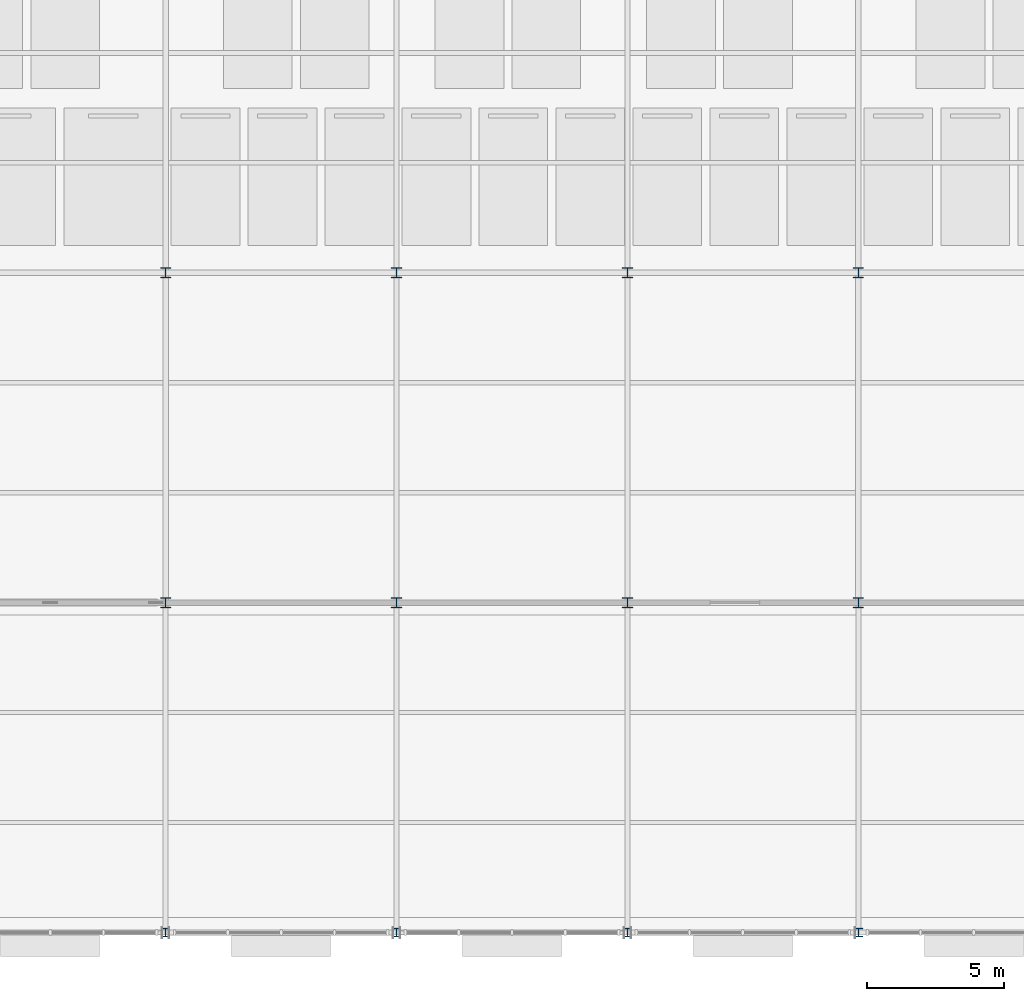
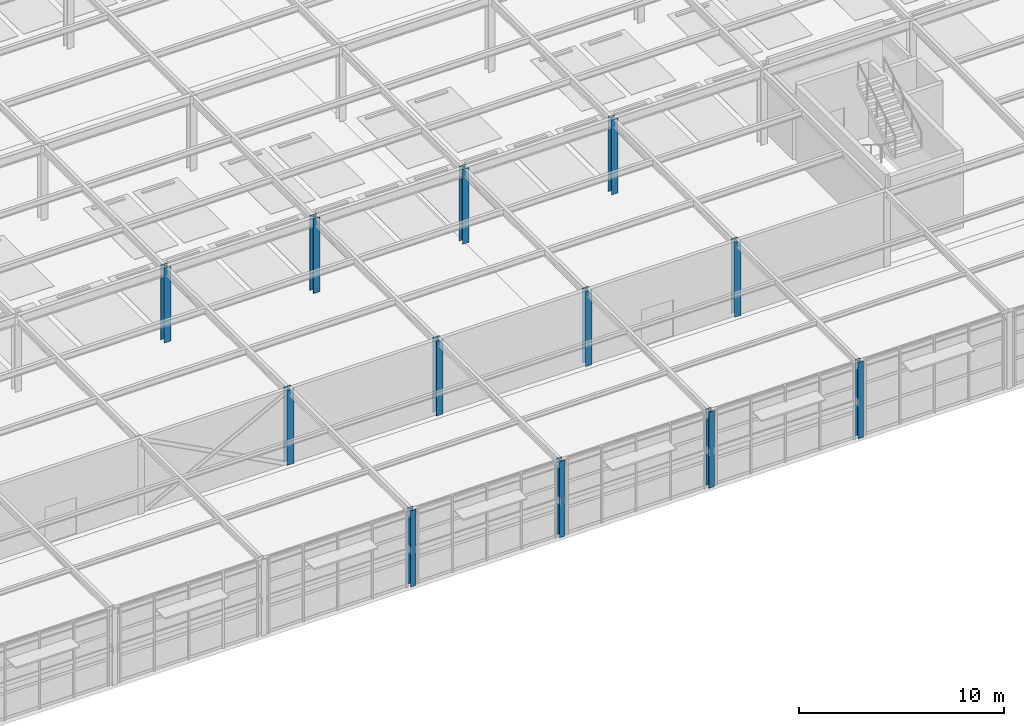
# One storey, part 2 of 82: 12 columns.
"""IFC4 building model written with IfcOpenShell, lengths in metres."""

from ifc_helpers import new_model, si_unit, direction, frame, origin, origin_2d, place, context, subcontext, project, spatial, i_section, extrude, material, material_profile, profile_set, type_object, element, save


model = new_model("IFC4")

# Units and contexts
model_context = context("Model", 3, precision=1e-05, world=origin(), true_north=direction((0.0, 1.0)))
body_context = subcontext(model_context, "Body", "Model", "MODEL_VIEW")
ifc_project = project(units=[si_unit("LENGTHUNIT", "METRE"), si_unit("AREAUNIT", "SQUARE_METRE"), si_unit("VOLUMEUNIT", "CUBIC_METRE"), si_unit("PLANEANGLEUNIT", "RADIAN"), si_unit("MASSUNIT", "GRAM", prefix="KILO")], contexts=[model_context])

# Site, building, storey
site_placement = place(None, origin())
site = spatial("IfcSite", under=ifc_project, at=site_placement, CompositionType="ELEMENT")
building_placement = place(site_placement, origin())
building = spatial("IfcBuilding", under=site, at=building_placement, Name="Sitalva Quay Ferry Terminal", CompositionType="ELEMENT")
storey_placement = place(building_placement, frame((0.0, 0.0, 5.39990234375)))
storey = spatial("IfcBuildingStorey", under=building, at=storey_placement, Name="L02", CompositionType="ELEMENT", Elevation=5.39990234375)

# Columns
ifc_material_1 = material(Name="Structural Steel S355JR", Category="steel")
ifc_material_profile_1 = material_profile(ifc_material_1, i_section(OverallWidth=0.305908203125, OverallDepth=0.31103515625, WebThickness=0.010986328125, FlangeThickness=0.01708984375, FilletRadius=0.014892578125, at=origin_2d()), Name="W310x107")
ifc_profile_set_1 = profile_set([ifc_material_profile_1], Name="Structural Steel S355JR")
column_type_1 = type_object("IfcColumnType", Name="Col_W310x107", PredefinedType="COLUMN", material=ifc_profile_set_1)
for number, where, z_axis, x_axis, name in (
    (1, (109.199951171875, 6.0, 0.0), (0.0, 0.0, 1.0), (1.0, 0.0, 0.0), "L02 column 14C"),
    (2, (117.60009765625, 6.0, 0.0), (0.0, 0.0, 1.0), (1.0, 0.0, 0.0), "L02 column 15C"),
    (3, (126.0, 6.0, 0.0), (0.0, 0.0, 1.0), (1.0, 0.0, 0.0), "L02 column 16C"),
    (4, (134.39990234375, 6.0, 0.0), (0.0, 0.0, 1.0), (1.0, 0.0, 0.0), "L02 column 17C"),
):
    element("IfcColumn", number, at=place(storey_placement, frame(where, z_axis=z_axis, x_axis=x_axis)), inside=storey, type_object=column_type_1, Name=name, PredefinedType="COLUMN", context=body_context, shape_type="SweptSolid", body=[
        extrude(i_section(OverallWidth=0.305908203125, OverallDepth=0.31103515625, WebThickness=0.010986328125, FlangeThickness=0.01708984375, FilletRadius=0.014892578125, at=origin_2d()), origin(), (0.0, 0.0, 1.0), 4.5400390625),
    ])
ifc_material_2 = material(Name="Structural Steel S355JR", Category="steel")
ifc_material_profile_2 = material_profile(ifc_material_2, i_section(OverallWidth=0.368896484375, OverallDepth=0.35595703125, WebThickness=0.01123046875, FlangeThickness=0.01806640625, FilletRadius=0.014892578125, at=origin_2d()), Name="W360x134")
ifc_profile_set_2 = profile_set([ifc_material_profile_2], Name="Structural Steel S355JR")
column_type_2 = type_object("IfcColumnType", Name="Col_W360x134", PredefinedType="COLUMN", material=ifc_profile_set_2)
for number, where, z_axis, x_axis, name in (
    (5, (109.199951171875, 18.0, 0.0), (0.0, 0.0, 1.0), (1.0, 0.0, 0.0), "L02 column 14D"),
    (6, (117.60009765625, 18.0, 0.0), (0.0, 0.0, 1.0), (1.0, 0.0, 0.0), "L02 column 15D"),
    (7, (126.0, 18.0, 0.0), (0.0, 0.0, 1.0), (1.0, 0.0, 0.0), "L02 column 16D"),
    (8, (134.39990234375, 18.0, 0.0), (0.0, 0.0, 1.0), (1.0, 0.0, 0.0), "L02 column 17D"),
    (9, (109.199951171875, 30.0, 0.0), (0.0, 0.0, 1.0), (1.0, 0.0, 0.0), "L02 column 14E"),
    (10, (117.60009765625, 30.0, 0.0), (0.0, 0.0, 1.0), (1.0, 0.0, 0.0), "L02 column 15E"),
    (11, (126.0, 30.0, 0.0), (0.0, 0.0, 1.0), (1.0, 0.0, 0.0), "L02 column 16E"),
    (12, (134.39990234375, 30.0, 0.0), (0.0, 0.0, 1.0), (1.0, 0.0, 0.0), "L02 column 17E"),
):
    element("IfcColumn", number, at=place(storey_placement, frame(where, z_axis=z_axis, x_axis=x_axis)), inside=storey, type_object=column_type_2, Name=name, PredefinedType="COLUMN", context=body_context, shape_type="SweptSolid", body=[
        extrude(i_section(OverallWidth=0.368896484375, OverallDepth=0.35595703125, WebThickness=0.01123046875, FlangeThickness=0.01806640625, FilletRadius=0.014892578125, at=origin_2d()), origin(), (0.0, 0.0, 1.0), 4.4501953125),
    ])

save(model, "model.ifc")
